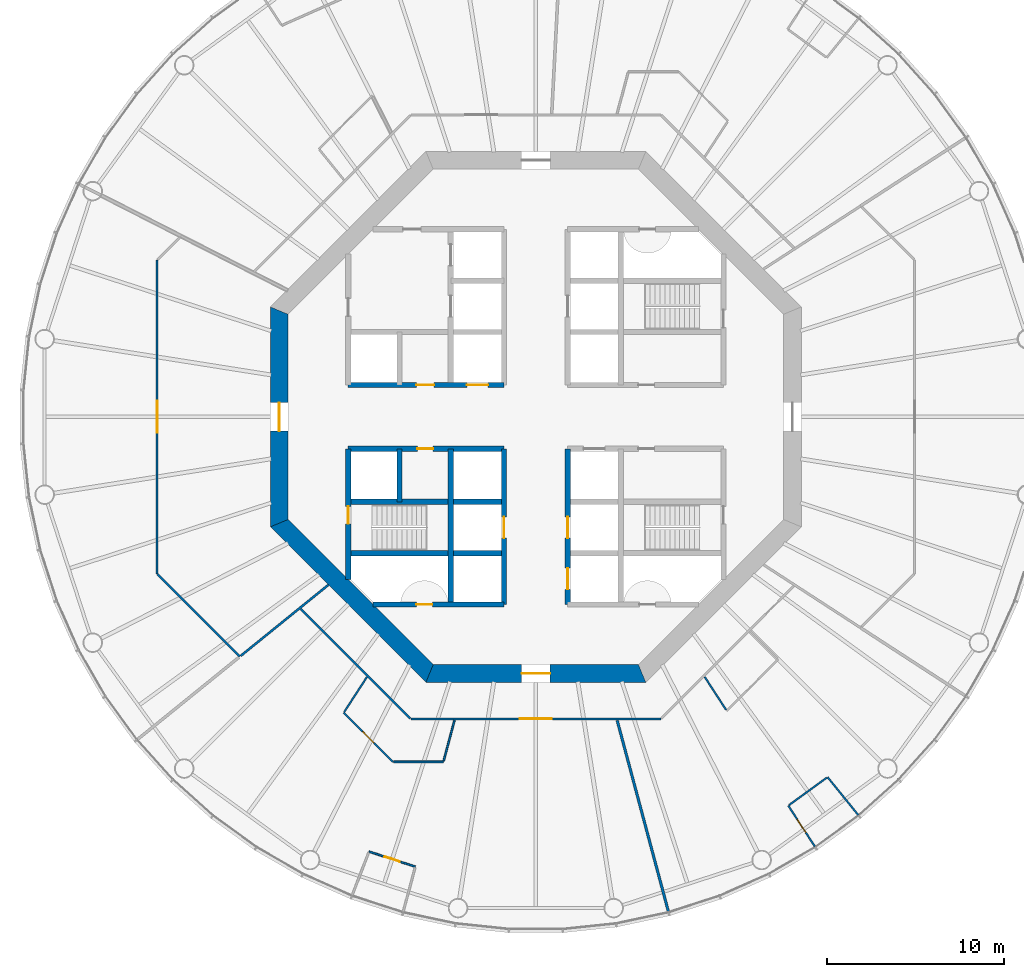
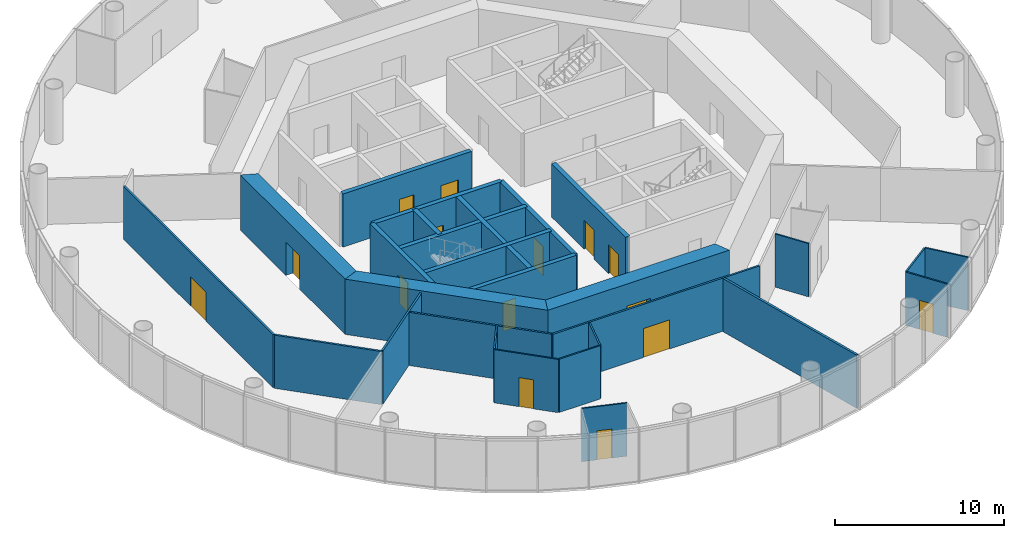
# One storey, part 3 of 13: 28 walls, 15 doors, 15 openings.
"""IFC4 building model written with IfcOpenShell, lengths in metres."""

from ifc_helpers import new_model, si_unit, direction, frame, frame_2d, origin, place, context, subcontext, project, spatial, polyline, rectangle, outline, extrude, material, layer, layer_set, type_object, element, fill, save


model = new_model("IFC4")

# Units and contexts
model_context = context("Model", 3, precision=1e-05, world=origin(), true_north=direction((0.0, 1.0)))
body_context = subcontext(model_context, "Body", "Model", "MODEL_VIEW")
ifc_project = project(units=[si_unit("LENGTHUNIT", "METRE"), si_unit("AREAUNIT", "SQUARE_METRE"), si_unit("VOLUMEUNIT", "CUBIC_METRE"), si_unit("PLANEANGLEUNIT", "RADIAN"), si_unit("MASSUNIT", "GRAM", prefix="KILO")], contexts=[model_context])

# Site, building, storey
site_placement = place(None, origin())
site = spatial("IfcSite", under=ifc_project, at=site_placement, CompositionType="ELEMENT")
building_placement = place(site_placement, origin())
building = spatial("IfcBuilding", under=site, at=building_placement, Name="Entoto Ring Tower", CompositionType="ELEMENT")
storey_placement = place(building_placement, frame((0.0, 0.0, 172.0)))
storey = spatial("IfcBuildingStorey", under=building, at=storey_placement, Name="L39", CompositionType="ELEMENT", Elevation=172.0)

# Wall, openings, doors
ifc_material_1 = material(Name="Concrete C40/50", Category="concrete")
ifc_layer_1 = layer(ifc_material_1, 0.300048828125)
ifc_layer_set_1 = layer_set([ifc_layer_1], Name="Concrete C40/50")
wall_type_1 = type_object("IfcWallType", Name="Core enclosure wall 300 mm reinforced concrete", PredefinedType="SOLIDWALL", material=ifc_layer_set_1)
wall_1_placement = place(storey_placement, frame((91.800048828125, 69.39990234375, 0.0), z_axis=(0.0, 0.0, 1.0), x_axis=(0.0, 1.0, 0.0)))
wall_1 = element("IfcWall", 1, at=wall_1_placement, inside=storey, type_object=wall_type_1, Name="wall-L39-005", PredefinedType="SOLIDWALL", context=body_context, shape_type="SweptSolid", body=[
    extrude(rectangle(XDim=8.800048828125, YDim=0.300048828125, at=frame_2d((4.39990234375, 0.0))), origin(), (0.0, 0.0, 1.0), 3.85009765625),
])
opening_1_placement = place(wall_1_placement, frame((3.75, 0.0, 0.0)))
opening_1 = element("IfcOpeningElement", 2, at=opening_1_placement, cuts=wall_1, Name="Opening LD", PredefinedType="OPENING", context=body_context, shape_type="SweptSolid", body=[
    extrude(rectangle(XDim=1.199951171875, YDim=2.10009765625, at=frame_2d((0.60009765625, 1.050048828125))), frame((0.0, 0.16015625, 0.0), z_axis=(0.0, -1.0, 0.0), x_axis=(1.0, 0.0, 0.0)), (0.0, 0.0, 1.0), 0.320068359375),
])
opening_2_placement = place(wall_1_placement, frame((0.85009765625, 0.0, 0.0)))
opening_2 = element("IfcOpeningElement", 3, at=opening_2_placement, cuts=wall_1, Name="Opening LD", PredefinedType="OPENING", context=body_context, shape_type="SweptSolid", body=[
    extrude(rectangle(XDim=1.199951171875, YDim=2.10009765625, at=frame_2d((0.60009765625, 1.050048828125))), frame((0.0, 0.16015625, 0.0), z_axis=(0.0, -1.0, 0.0), x_axis=(1.0, 0.0, 0.0)), (0.0, 0.0, 1.0), 0.320068359375),
])
ifc_material_2 = material(Name="Steel and glass door leaf", Category="steel")
ifc_layer_2 = layer(ifc_material_2, 0.050048828125)
ifc_layer_set_2 = layer_set([ifc_layer_2], Name="Steel and glass door leaf")
door_type_1 = type_object("IfcDoorType", Name="Landing door 1200 x 2100 sliding", OperationType="DOUBLE_DOOR_SLIDING", PredefinedType="DOOR", material=ifc_layer_set_2)
door_1_placement = place(opening_1_placement, origin())
door_1 = element("IfcDoor", 4, at=door_1_placement, inside=storey, type_object=door_type_1, Name="Landing door LB2-MR", OperationType="SLIDING_TO_RIGHT", OverallHeight=2.10009765625, OverallWidth=1.199951171875, PredefinedType="DOOR", context=body_context, shape_type="SweptSolid", body=[
    extrude(rectangle(XDim=1.199951171875, YDim=2.10009765625, at=frame_2d((0.60009765625, 1.050048828125))), frame((0.0, 0.02490234375, 0.0), z_axis=(0.0, -1.0, 0.0), x_axis=(1.0, 0.0, 0.0)), (0.0, 0.0, 1.0), 0.050048828125),
])
fill(opening_1, door_1)
door_2_placement = place(opening_2_placement, origin())
door_2 = element("IfcDoor", 5, at=door_2_placement, inside=storey, type_object=door_type_1, Name="Landing door LB3-MR", OperationType="SLIDING_TO_RIGHT", OverallHeight=2.10009765625, OverallWidth=1.199951171875, PredefinedType="DOOR", context=body_context, shape_type="SweptSolid", body=[
    extrude(rectangle(XDim=1.199951171875, YDim=2.10009765625, at=frame_2d((0.60009765625, 1.050048828125))), frame((0.0, 0.02490234375, 0.0), z_axis=(0.0, -1.0, 0.0), x_axis=(1.0, 0.0, 0.0)), (0.0, 0.0, 1.0), 0.050048828125),
])
fill(opening_2, door_2)

# Wall, opening, door
wall_2_placement = place(storey_placement, frame((88.199951171875, 69.39990234375, 0.0), z_axis=(0.0, 0.0, 1.0), x_axis=(0.0, 1.0, 0.0)))
wall_2 = element("IfcWall", 6, at=wall_2_placement, inside=storey, type_object=wall_type_1, Name="wall-L39-007", PredefinedType="SOLIDWALL", context=body_context, shape_type="SweptSolid", body=[
    extrude(rectangle(XDim=8.800048828125, YDim=0.300048828125, at=frame_2d((4.39990234375, 0.0))), origin(), (0.0, 0.0, 1.0), 3.85009765625),
])
opening_3_placement = place(wall_2_placement, frame((3.75, 0.0, 0.0)))
opening_3 = element("IfcOpeningElement", 7, at=opening_3_placement, cuts=wall_2, Name="Opening LD", PredefinedType="OPENING", context=body_context, shape_type="SweptSolid", body=[
    extrude(rectangle(XDim=1.199951171875, YDim=2.10009765625, at=frame_2d((0.60009765625, 1.050048828125))), frame((0.0, 0.16015625, 0.0), z_axis=(0.0, -1.0, 0.0), x_axis=(1.0, 0.0, 0.0)), (0.0, 0.0, 1.0), 0.320068359375),
])
door_3_placement = place(opening_3_placement, origin())
door_3 = element("IfcDoor", 8, at=door_3_placement, inside=storey, type_object=door_type_1, Name="Landing door LB4-MR", OperationType="SLIDING_TO_RIGHT", OverallHeight=2.10009765625, OverallWidth=1.199951171875, PredefinedType="DOOR", context=body_context, shape_type="SweptSolid", body=[
    extrude(rectangle(XDim=1.199951171875, YDim=2.10009765625, at=frame_2d((0.60009765625, 1.050048828125))), frame((0.0, 0.02490234375, 0.0), z_axis=(0.0, -1.0, 0.0), x_axis=(1.0, 0.0, 0.0)), (0.0, 0.0, 1.0), 0.050048828125),
])
fill(opening_3, door_3)

# Walls
wall_3_placement = place(storey_placement, frame((85.199951171875, 69.39990234375, 0.0), z_axis=(0.0, 0.0, 1.0), x_axis=(0.0, 1.0, 0.0)))
element("IfcWall", 9, at=wall_3_placement, inside=storey, type_object=wall_type_1, Name="wall-L39-009", PredefinedType="SOLIDWALL", context=body_context, shape_type="SweptSolid", body=[
    extrude(rectangle(XDim=8.800048828125, YDim=0.300048828125, at=frame_2d((4.39990234375, 0.0))), origin(), (0.0, 0.0, 1.0), 3.85009765625),
])
wall_4_placement = place(storey_placement, frame((82.300048828125, 75.199951171875, 0.0), z_axis=(0.0, 0.0, 1.0), x_axis=(0.0, 1.0, 0.0)))
element("IfcWall", 10, at=wall_4_placement, inside=storey, type_object=wall_type_1, Name="wall-L39-011", PredefinedType="SOLIDWALL", context=body_context, shape_type="SweptSolid", body=[
    extrude(rectangle(XDim=3.0, YDim=0.300048828125, at=frame_2d((1.5, 0.0))), origin(), (0.0, 0.0, 1.0), 3.85009765625),
])

# Wall, opening, door
wall_5_placement = place(storey_placement, frame((79.39990234375, 70.801025390625, 0.0), z_axis=(0.0, 0.0, 1.0), x_axis=(0.0, 1.0, 0.0)))
wall_5 = element("IfcWall", 11, at=wall_5_placement, inside=storey, type_object=wall_type_1, Name="wall-L39-013", PredefinedType="SOLIDWALL", context=body_context, shape_type="SweptSolid", body=[
    extrude(rectangle(XDim=7.39892578125, YDim=0.300048828125, at=frame_2d((3.699462890625, 0.0))), origin(), (0.0, 0.0, 1.0), 3.85009765625),
])
opening_4_placement = place(wall_5_placement, frame((3.14892578125, 0.0, 0.0)))
opening_4 = element("IfcOpeningElement", 12, at=opening_4_placement, cuts=wall_5, Name="Opening K-55", PredefinedType="OPENING", context=body_context, shape_type="SweptSolid", body=[
    extrude(rectangle(XDim=1.0, YDim=2.10009765625, at=frame_2d((0.5, 1.050048828125))), frame((0.0, 0.16015625, 0.0), z_axis=(0.0, -1.0, 0.0), x_axis=(1.0, 0.0, 0.0)), (0.0, 0.0, 1.0), 0.320068359375),
])
ifc_material_3 = material(Name="Steel door leaf, fire rated", Category="steel")
ifc_layer_3 = layer(ifc_material_3, 0.050048828125)
ifc_layer_set_3 = layer_set([ifc_layer_3], Name="Steel door leaf, fire rated")
door_type_2 = type_object("IfcDoorType", Name="Fire door FD60 1000 x 2100 single leaf", OperationType="NOTDEFINED", PredefinedType="DOOR", material=ifc_layer_set_3)
door_4_placement = place(opening_4_placement, frame((1.0, 0.0, 0.0), z_axis=(0.0, 0.0, 1.0), x_axis=(-1.0, 0.0, 0.0)))
door_4 = element("IfcDoor", 13, at=door_4_placement, inside=storey, type_object=door_type_2, Name="Door K-55", OperationType="SINGLE_SWING_LEFT", OverallHeight=2.10009765625, OverallWidth=1.0, PredefinedType="DOOR", context=body_context, shape_type="SweptSolid", body=[
    extrude(rectangle(XDim=1.0, YDim=2.10009765625, at=frame_2d((0.5, 1.050048828125))), frame((0.0, 0.02490234375, 0.0), z_axis=(0.0, -1.0, 0.0), x_axis=(1.0, 0.0, 0.0)), (0.0, 0.0, 1.0), 0.050048828125),
])
fill(opening_4, door_4)

wall_6_placement = place(storey_placement, frame((80.801025390625, 69.39990234375, 0.0), z_axis=(0.0, 0.0, 1.0), x_axis=(1.0, 0.0, 0.0)))
wall_6 = element("IfcWall", 14, at=wall_6_placement, inside=storey, type_object=wall_type_1, Name="wall-L39-015", PredefinedType="SOLIDWALL", context=body_context, shape_type="SweptSolid", body=[
    extrude(rectangle(XDim=7.39892578125, YDim=0.300048828125, at=frame_2d((3.699462890625, 0.0))), origin(), (0.0, 0.0, 1.0), 3.85009765625),
])
opening_5_placement = place(wall_6_placement, frame((2.448974609375, 0.0, 0.0)))
opening_5 = element("IfcOpeningElement", 15, at=opening_5_placement, cuts=wall_6, Name="Opening K-62", PredefinedType="OPENING", context=body_context, shape_type="SweptSolid", body=[
    extrude(rectangle(XDim=0.89990234375, YDim=2.10009765625, at=frame_2d((0.449951171875, 1.050048828125))), frame((0.0, 0.16015625, 0.0), z_axis=(0.0, -1.0, 0.0), x_axis=(1.0, 0.0, 0.0)), (0.0, 0.0, 1.0), 0.320068359375),
])
ifc_material_4 = material(Name="Steel door leaf, fire rated", Category="steel")
ifc_layer_4 = layer(ifc_material_4, 0.050048828125)
ifc_layer_set_4 = layer_set([ifc_layer_4], Name="Steel door leaf, fire rated")
door_type_3 = type_object("IfcDoorType", Name="Riser door FD60 900 x 2100 single leaf", OperationType="NOTDEFINED", PredefinedType="DOOR", material=ifc_layer_set_4)
door_5_placement = place(opening_5_placement, origin())
door_5 = element("IfcDoor", 16, at=door_5_placement, inside=storey, type_object=door_type_3, Name="Door K-62", OperationType="SINGLE_SWING_RIGHT", OverallHeight=2.10009765625, OverallWidth=0.89990234375, PredefinedType="DOOR", context=body_context, shape_type="SweptSolid", body=[
    extrude(rectangle(XDim=0.89990234375, YDim=2.10009765625, at=frame_2d((0.449951171875, 1.050048828125))), frame((0.0, 0.02490234375, 0.0), z_axis=(0.0, -1.0, 0.0), x_axis=(1.0, 0.0, 0.0)), (0.0, 0.0, 1.0), 0.050048828125),
])
fill(opening_5, door_5)

# Walls
for number, where, z_axis, x_axis, name in (
    (17, (79.39990234375, 72.300048828125, 0.0), (0.0, 0.0, 1.0), (1.0, 0.0, 0.0), "wall-L39-017"),
    (18, (79.39990234375, 75.199951171875, 0.0), (0.0, 0.0, 1.0), (1.0, 0.0, 0.0), "wall-L39-019"),
):
    element("IfcWall", number, at=place(storey_placement, frame(where, z_axis=z_axis, x_axis=x_axis)), inside=storey, type_object=wall_type_1, Name=name, PredefinedType="SOLIDWALL", context=body_context, shape_type="SweptSolid", body=[
        extrude(rectangle(XDim=8.800048828125, YDim=0.300048828125, at=frame_2d((4.39990234375, 0.0))), origin(), (0.0, 0.0, 1.0), 3.85009765625),
    ])

# Wall, opening, door
wall_7_placement = place(storey_placement, frame((79.39990234375, 78.199951171875, 0.0), z_axis=(0.0, 0.0, 1.0), x_axis=(1.0, 0.0, 0.0)))
wall_7 = element("IfcWall", 19, at=wall_7_placement, inside=storey, type_object=wall_type_1, Name="wall-L39-021", PredefinedType="SOLIDWALL", context=body_context, shape_type="SweptSolid", body=[
    extrude(rectangle(XDim=8.800048828125, YDim=0.300048828125, at=frame_2d((4.39990234375, 0.0))), origin(), (0.0, 0.0, 1.0), 3.85009765625),
])
opening_6_placement = place(wall_7_placement, frame((3.89990234375, 0.0, 0.0)))
opening_6 = element("IfcOpeningElement", 20, at=opening_6_placement, cuts=wall_7, Name="Opening K-14", PredefinedType="OPENING", context=body_context, shape_type="SweptSolid", body=[
    extrude(rectangle(XDim=0.89990234375, YDim=2.10009765625, at=frame_2d((0.449951171875, 1.050048828125))), frame((0.0, 0.16015625, 0.0), z_axis=(0.0, -1.0, 0.0), x_axis=(1.0, 0.0, 0.0)), (0.0, 0.0, 1.0), 0.320068359375),
])
ifc_material_5 = material(Name="Steel door leaf, fire rated", Category="steel")
ifc_layer_5 = layer(ifc_material_5, 0.050048828125)
ifc_layer_set_5 = layer_set([ifc_layer_5], Name="Steel door leaf, fire rated")
door_type_4 = type_object("IfcDoorType", Name="Core door 900 x 2100 single leaf", OperationType="NOTDEFINED", PredefinedType="DOOR", material=ifc_layer_set_5)
door_6_placement = place(opening_6_placement, frame((0.89990234375, 0.0, 0.0), z_axis=(0.0, 0.0, 1.0), x_axis=(-1.0, 0.0, 0.0)))
door_6 = element("IfcDoor", 21, at=door_6_placement, inside=storey, type_object=door_type_4, Name="Door K-14", OperationType="SINGLE_SWING_LEFT", OverallHeight=2.10009765625, OverallWidth=0.89990234375, PredefinedType="DOOR", context=body_context, shape_type="SweptSolid", body=[
    extrude(rectangle(XDim=0.89990234375, YDim=2.10009765625, at=frame_2d((0.449951171875, 1.050048828125))), frame((0.0, 0.02490234375, 0.0), z_axis=(0.0, -1.0, 0.0), x_axis=(1.0, 0.0, 0.0)), (0.0, 0.0, 1.0), 0.050048828125),
])
fill(opening_6, door_6)

# Wall, openings, doors
wall_8_placement = place(storey_placement, frame((79.39990234375, 81.800048828125, 0.0), z_axis=(0.0, 0.0, 1.0), x_axis=(1.0, 0.0, 0.0)))
wall_8 = element("IfcWall", 22, at=wall_8_placement, inside=storey, type_object=wall_type_1, Name="wall-L39-023", PredefinedType="SOLIDWALL", context=body_context, shape_type="SweptSolid", body=[
    extrude(rectangle(XDim=8.800048828125, YDim=0.300048828125, at=frame_2d((4.39990234375, 0.0))), origin(), (0.0, 0.0, 1.0), 3.85009765625),
])
opening_7_placement = place(wall_8_placement, frame((6.699951171875, 0.0, 0.0)))
opening_7 = element("IfcOpeningElement", 23, at=opening_7_placement, cuts=wall_8, Name="Opening LD", PredefinedType="OPENING", context=body_context, shape_type="SweptSolid", body=[
    extrude(rectangle(XDim=1.199951171875, YDim=2.10009765625, at=frame_2d((0.60009765625, 1.050048828125))), frame((0.0, 0.16015625, 0.0), z_axis=(0.0, -1.0, 0.0), x_axis=(1.0, 0.0, 0.0)), (0.0, 0.0, 1.0), 0.320068359375),
])
opening_8_placement = place(wall_8_placement, frame((3.85009765625, 0.0, 0.0)))
opening_8 = element("IfcOpeningElement", 24, at=opening_8_placement, cuts=wall_8, Name="Opening K-13", PredefinedType="OPENING", context=body_context, shape_type="SweptSolid", body=[
    extrude(rectangle(XDim=1.0, YDim=2.10009765625, at=frame_2d((0.5, 1.050048828125))), frame((0.0, 0.16015625, 0.0), z_axis=(0.0, -1.0, 0.0), x_axis=(1.0, 0.0, 0.0)), (0.0, 0.0, 1.0), 0.320068359375),
])
ifc_material_6 = material(Name="Steel door leaf, fire rated", Category="steel")
ifc_layer_6 = layer(ifc_material_6, 0.050048828125)
ifc_layer_set_6 = layer_set([ifc_layer_6], Name="Steel door leaf, fire rated")
door_type_5 = type_object("IfcDoorType", Name="Accessible door 1000 x 2100 single leaf", OperationType="NOTDEFINED", PredefinedType="DOOR", material=ifc_layer_set_6)
door_7_placement = place(opening_8_placement, origin())
door_7 = element("IfcDoor", 25, at=door_7_placement, inside=storey, type_object=door_type_5, Name="Door K-13", OperationType="SINGLE_SWING_LEFT", OverallHeight=2.10009765625, OverallWidth=1.0, PredefinedType="DOOR", context=body_context, shape_type="SweptSolid", body=[
    extrude(rectangle(XDim=1.0, YDim=2.10009765625, at=frame_2d((0.5, 1.050048828125))), frame((0.0, 0.02490234375, 0.0), z_axis=(0.0, -1.0, 0.0), x_axis=(1.0, 0.0, 0.0)), (0.0, 0.0, 1.0), 0.050048828125),
])
fill(opening_8, door_7)
door_8_placement = place(opening_7_placement, origin())
door_8 = element("IfcDoor", 26, at=door_8_placement, inside=storey, type_object=door_type_1, Name="Landing door LB5-MR", OperationType="SLIDING_TO_LEFT", OverallHeight=2.10009765625, OverallWidth=1.199951171875, PredefinedType="DOOR", context=body_context, shape_type="SweptSolid", body=[
    extrude(rectangle(XDim=1.199951171875, YDim=2.10009765625, at=frame_2d((0.60009765625, 1.050048828125))), frame((0.0, 0.02490234375, 0.0), z_axis=(0.0, -1.0, 0.0), x_axis=(1.0, 0.0, 0.0)), (0.0, 0.0, 1.0), 0.050048828125),
])
fill(opening_7, door_8)

# Wall, opening, door
ifc_material_7 = material(Name="Concrete C50/60", Category="concrete")
ifc_layer_7 = layer(ifc_material_7, 1.0)
ifc_layer_set_7 = layer_set([ifc_layer_7], Name="Concrete C50/60")
wall_type_2 = type_object("IfcWallType", Name="Core shear wall 1000 mm reinforced concrete C50/60", PredefinedType="SHEAR", material=ifc_layer_set_7)
wall_9_placement = place(storey_placement, frame((75.5, 86.006103515625, 0.0), z_axis=(0.0, 0.0, 1.0), x_axis=(0.0, -1.0, 0.0)))
wall_9 = element("IfcWall", 27, at=wall_9_placement, inside=storey, type_object=wall_type_2, Name="wall-L39-core-4", PredefinedType="SHEAR", context=body_context, shape_type="SweptSolid", body=[
    extrude(outline(polyline([(-0.20703125, -0.5), (12.21923828125, -0.5), (11.80517578125, 0.5), (0.20703125, 0.5), (-0.20703125, -0.5)])), origin(), (0.0, 0.0, 1.0), 4.0),
])
opening_9_placement = place(wall_9_placement, frame((5.2060546875, 0.0, 0.0)))
opening_9 = element("IfcOpeningElement", 28, at=opening_9_placement, cuts=wall_9, Name="Opening K-03", PredefinedType="OPENING", context=body_context, shape_type="SweptSolid", body=[
    extrude(rectangle(XDim=1.60009765625, YDim=2.39990234375, at=frame_2d((0.800048828125, 1.199951171875))), frame((0.0, 0.510009765625, 0.0), z_axis=(0.0, -1.0, 0.0), x_axis=(1.0, 0.0, 0.0)), (0.0, 0.0, 1.0), 1.02001953125),
])
ifc_material_8 = material(Name="Steel door leaf, fire rated", Category="steel")
ifc_layer_8 = layer(ifc_material_8, 0.050048828125)
ifc_layer_set_8 = layer_set([ifc_layer_8], Name="Steel door leaf, fire rated")
door_type_6 = type_object("IfcDoorType", Name="Entrance door FD60 1600 x 2400 double leaf", OperationType="DOUBLE_DOOR_SINGLE_SWING", PredefinedType="DOOR", material=ifc_layer_set_8)
door_9_placement = place(opening_9_placement, origin())
door_9 = element("IfcDoor", 29, at=door_9_placement, inside=storey, type_object=door_type_6, Name="Entrance door K-03", OperationType="DOUBLE_DOOR_SINGLE_SWING", OverallHeight=2.39990234375, OverallWidth=1.60009765625, PredefinedType="DOOR", context=body_context, shape_type="SweptSolid", body=[
    extrude(rectangle(XDim=1.60009765625, YDim=2.39990234375, at=frame_2d((0.800048828125, 1.199951171875))), frame((0.0, 0.02490234375, 0.0), z_axis=(0.0, -1.0, 0.0), x_axis=(1.0, 0.0, 0.0)), (0.0, 0.0, 1.0), 0.050048828125),
])
fill(opening_9, door_9)

# Wall
wall_10_placement = place(storey_placement, frame((75.5, 73.993896484375, 0.0), z_axis=(0.0, 0.0, 1.0), x_axis=(0.707106781187, -0.707106781187, 0.0)))
element("IfcWall", 30, at=wall_10_placement, inside=storey, type_object=wall_type_2, Name="wall-L39-core-5", PredefinedType="SHEAR", context=body_context, shape_type="SweptSolid", body=[
    extrude(outline(polyline([(-0.20703125, -0.5), (12.21923828125, -0.5), (11.80517578125, 0.5), (0.20703125, 0.5), (-0.20703125, -0.5)])), origin(), (0.0, 0.0, 1.0), 4.0),
])

# Wall, opening, door
wall_11_placement = place(storey_placement, frame((83.993896484375, 65.5, 0.0), z_axis=(0.0, 0.0, 1.0), x_axis=(1.0, 0.0, 0.0)))
wall_11 = element("IfcWall", 31, at=wall_11_placement, inside=storey, type_object=wall_type_2, Name="wall-L39-core-6", PredefinedType="SHEAR", context=body_context, shape_type="SweptSolid", body=[
    extrude(outline(polyline([(-0.20703125, -0.5), (12.21923828125, -0.5), (11.80517578125, 0.5), (0.20703125, 0.5), (-0.20703125, -0.5)])), origin(), (0.0, 0.0, 1.0), 4.0),
])
opening_10_placement = place(wall_11_placement, frame((5.2060546875, 0.0, 0.0)))
opening_10 = element("IfcOpeningElement", 32, at=opening_10_placement, cuts=wall_11, Name="Opening K-04", PredefinedType="OPENING", context=body_context, shape_type="SweptSolid", body=[
    extrude(rectangle(XDim=1.60009765625, YDim=2.39990234375, at=frame_2d((0.800048828125, 1.199951171875))), frame((0.0, 0.510009765625, 0.0), z_axis=(0.0, -1.0, 0.0), x_axis=(1.0, 0.0, 0.0)), (0.0, 0.0, 1.0), 1.02001953125),
])
door_10_placement = place(opening_10_placement, origin())
door_10 = element("IfcDoor", 33, at=door_10_placement, inside=storey, type_object=door_type_6, Name="Entrance door K-04", OperationType="DOUBLE_DOOR_SINGLE_SWING", OverallHeight=2.39990234375, OverallWidth=1.60009765625, PredefinedType="DOOR", context=body_context, shape_type="SweptSolid", body=[
    extrude(rectangle(XDim=1.60009765625, YDim=2.39990234375, at=frame_2d((0.800048828125, 1.199951171875))), frame((0.0, 0.02490234375, 0.0), z_axis=(0.0, -1.0, 0.0), x_axis=(1.0, 0.0, 0.0)), (0.0, 0.0, 1.0), 0.050048828125),
])
fill(opening_10, door_10)

ifc_material_9 = material(Name="Fire-resisting plasterboard on steel studs", Category="steel")
ifc_layer_9 = layer(ifc_material_9, 0.125)
ifc_layer_set_9 = layer_set([ifc_layer_9], Name="Fire-resisting plasterboard on steel studs")
wall_type_3 = type_object("IfcWallType", Name="Corridor wall 125 mm one-hour plasterboard on steel studs", PredefinedType="PARTITIONING", material=ifc_layer_set_9)
wall_12_placement = place(storey_placement, frame((68.60009765625, 71.1357421875, 0.0), z_axis=(0.0, 0.0, 1.0), x_axis=(0.0, 1.0, 0.0)))
wall_12 = element("IfcWall", 34, at=wall_12_placement, inside=storey, type_object=wall_type_3, Name="partition-L39-001", PredefinedType="PARTITIONING", context=body_context, shape_type="SweptSolid", body=[
    extrude(rectangle(XDim=17.728515625, YDim=0.125, at=frame_2d((8.8642578125, 0.0))), origin(), (0.0, 0.0, 1.0), 3.85009765625),
])
opening_11_placement = place(wall_12_placement, frame((7.964111328125, 0.0, 0.0)))
opening_11 = element("IfcOpeningElement", 35, at=opening_11_placement, cuts=wall_12, Name="Opening A17-D02", PredefinedType="OPENING", context=body_context, shape_type="SweptSolid", body=[
    extrude(rectangle(XDim=1.800048828125, YDim=2.10009765625, at=frame_2d((0.89990234375, 1.050048828125))), frame((0.0, 0.072509765625, 0.0), z_axis=(0.0, -1.0, 0.0), x_axis=(1.0, 0.0, 0.0)), (0.0, 0.0, 1.0), 0.14501953125),
])
ifc_material_10 = material(Name="Fire-resisting timber door set", Category="wood")
door_type_7 = type_object("IfcDoorType", Name="Door 1800 x 2100 double leaf FD30S fire door", OperationType="DOUBLE_DOOR_SINGLE_SWING", PredefinedType="DOOR", material=ifc_material_10)
door_11_placement = place(opening_11_placement, origin())
door_11 = element("IfcDoor", 36, at=door_11_placement, inside=storey, type_object=door_type_7, Name="Door A17-D02", OperationType="DOUBLE_DOOR_SINGLE_SWING", OverallHeight=2.10009765625, OverallWidth=1.800048828125, PredefinedType="DOOR", context=body_context, shape_type="SweptSolid", body=[
    extrude(rectangle(XDim=1.800048828125, YDim=2.10009765625, at=frame_2d((0.89990234375, 1.050048828125))), frame((0.0, 0.02490234375, 0.0), z_axis=(0.0, -1.0, 0.0), x_axis=(1.0, 0.0, 0.0)), (0.0, 0.0, 1.0), 0.050048828125),
])
fill(opening_11, door_11)

wall_13_placement = place(storey_placement, frame((82.9326171875, 62.9375, 0.0), z_axis=(0.0, 0.0, 1.0), x_axis=(1.0, 0.0, 0.0)))
wall_13 = element("IfcWall", 37, at=wall_13_placement, inside=storey, type_object=wall_type_3, Name="partition-L39-003", PredefinedType="PARTITIONING", context=body_context, shape_type="SweptSolid", body=[
    extrude(rectangle(XDim=14.134765625, YDim=0.125, at=frame_2d((7.0673828125, 0.0))), origin(), (0.0, 0.0, 1.0), 3.85009765625),
])
opening_12_placement = place(wall_13_placement, frame((6.16748046875, 0.0, 0.0)))
opening_12 = element("IfcOpeningElement", 38, at=opening_12_placement, cuts=wall_13, Name="Opening A17-D09", PredefinedType="OPENING", context=body_context, shape_type="SweptSolid", body=[
    extrude(rectangle(XDim=1.800048828125, YDim=2.10009765625, at=frame_2d((0.89990234375, 1.050048828125))), frame((0.0, 0.072509765625, 0.0), z_axis=(0.0, -1.0, 0.0), x_axis=(1.0, 0.0, 0.0)), (0.0, 0.0, 1.0), 0.14501953125),
])
door_12_placement = place(opening_12_placement, frame((1.800048828125, 0.0, 0.0), z_axis=(0.0, 0.0, 1.0), x_axis=(-1.0, 0.0, 0.0)))
door_12 = element("IfcDoor", 39, at=door_12_placement, inside=storey, type_object=door_type_7, Name="Door A17-D09", OperationType="DOUBLE_DOOR_SINGLE_SWING", OverallHeight=2.10009765625, OverallWidth=1.800048828125, PredefinedType="DOOR", context=body_context, shape_type="SweptSolid", body=[
    extrude(rectangle(XDim=1.800048828125, YDim=2.10009765625, at=frame_2d((0.89990234375, 1.050048828125))), frame((0.0, 0.02490234375, 0.0), z_axis=(0.0, -1.0, 0.0), x_axis=(1.0, 0.0, 0.0)), (0.0, 0.0, 1.0), 0.050048828125),
])
fill(opening_12, door_12)

# Walls
wall_14_placement = place(storey_placement, frame((82.9013671875, 62.968505859375, 0.0), z_axis=(0.0, 0.0, 1.0), x_axis=(-0.707092826187, 0.70712073591, 0.0)))
element("IfcWall", 40, at=wall_14_placement, inside=storey, type_object=wall_type_3, Name="partition-L39-008", PredefinedType="PARTITIONING", context=body_context, shape_type="SweptSolid", body=[
    extrude(rectangle(XDim=8.74755859375, YDim=0.125, at=frame_2d((4.373779296875, 0.0))), origin(), (0.0, 0.0, 1.0), 3.85009765625),
])
wall_15_placement = place(storey_placement, frame((73.277587890625, 66.45849609375, 0.0), z_axis=(0.0, 0.0, 1.0), x_axis=(-0.707125358217, 0.707088203668, 0.0)))
element("IfcWall", 41, at=wall_15_placement, inside=storey, type_object=wall_type_3, Name="partition-L39-010", PredefinedType="PARTITIONING", context=body_context, shape_type="SweptSolid", body=[
    extrude(rectangle(XDim=6.571044921875, YDim=0.125, at=frame_2d((3.28564453125, 0.0))), origin(), (0.0, 0.0, 1.0), 3.85009765625),
])
wall_16_placement = place(storey_placement, frame((73.32568359375, 66.49755859375, 0.0), z_axis=(0.0, 0.0, 1.0), x_axis=(0.777147622925, 0.629318339302, 0.0)))
element("IfcWall", 42, at=wall_16_placement, inside=storey, type_object=wall_type_3, Name="partition-L39-013", PredefinedType="PARTITIONING", context=body_context, shape_type="SweptSolid", body=[
    extrude(rectangle(XDim=6.373046875, YDim=0.125, at=frame_2d((3.1865234375, 0.0))), origin(), (0.0, 0.0, 1.0), 3.85009765625),
])

# Wall, opening, door
ifc_material_11 = material(Name="Plasterboard on steel studs", Category="steel")
ifc_layer_10 = layer(ifc_material_11, 0.10009765625)
ifc_layer_set_10 = layer_set([ifc_layer_10], Name="Plasterboard on steel studs")
wall_type_4 = type_object("IfcWallType", Name="Partition 100 mm plasterboard on steel studs", PredefinedType="PARTITIONING", material=ifc_layer_set_10)
wall_17_placement = place(storey_placement, frame((81.92578125, 60.507568359375, 0.0), z_axis=(0.0, 0.0, 1.0), x_axis=(-0.707075724824, 0.707137836185, 0.0)))
wall_17 = element("IfcWall", 43, at=wall_17_placement, inside=storey, type_object=wall_type_4, Name="partition-L39-027", PredefinedType="PARTITIONING", context=body_context, shape_type="SweptSolid", body=[
    extrude(rectangle(XDim=3.9306640625, YDim=0.10009765625, at=frame_2d((1.96533203125, 0.0))), origin(), (0.0, 0.0, 1.0), 3.85009765625),
])
opening_13_placement = place(wall_17_placement, frame((1.515380859375, 0.0, 0.0)))
opening_13 = element("IfcOpeningElement", 44, at=opening_13_placement, cuts=wall_17, Name="Opening A17-D10", PredefinedType="OPENING", context=body_context, shape_type="SweptSolid", body=[
    extrude(rectangle(XDim=0.89990234375, YDim=2.10009765625, at=frame_2d((0.449951171875, 1.050048828125))), frame((0.0, 0.06005859375, 0.0), z_axis=(0.0, -1.0, 0.0), x_axis=(1.0, 0.0, 0.0)), (0.0, 0.0, 1.0), 0.1201171875),
])
ifc_material_12 = material(Name="Veneered timber door leaf in timber frame", Category="wood")
door_type_8 = type_object("IfcDoorType", Name="Door 900 x 2100 single leaf timber veneer", OperationType="NOTDEFINED", PredefinedType="DOOR", material=ifc_material_12)
door_13_placement = place(opening_13_placement, frame((0.89990234375, 0.0, 0.0), z_axis=(0.0, 0.0, 1.0), x_axis=(-1.0, 0.0, 0.0)))
door_13 = element("IfcDoor", 45, at=door_13_placement, inside=storey, type_object=door_type_8, Name="Door A17-D10", OperationType="SINGLE_SWING_LEFT", OverallHeight=2.10009765625, OverallWidth=0.89990234375, PredefinedType="DOOR", context=body_context, shape_type="SweptSolid", body=[
    extrude(rectangle(XDim=0.89990234375, YDim=2.10009765625, at=frame_2d((0.449951171875, 1.050048828125))), frame((0.0, 0.02490234375, 0.0), z_axis=(0.0, -1.0, 0.0), x_axis=(1.0, 0.0, 0.0)), (0.0, 0.0, 1.0), 0.050048828125),
])
fill(opening_13, door_13)

# Wall
wall_18_placement = place(storey_placement, frame((81.961181640625, 60.507568359375, 0.0), z_axis=(0.0, 0.0, 1.0), x_axis=(1.0, 0.0, 0.0)))
element("IfcWall", 46, at=wall_18_placement, inside=storey, type_object=wall_type_4, Name="partition-L39-029", PredefinedType="PARTITIONING", context=body_context, shape_type="SweptSolid", body=[
    extrude(rectangle(XDim=2.81591796875, YDim=0.10009765625, at=frame_2d((1.407958984375, 0.0))), origin(), (0.0, 0.0, 1.0), 3.85009765625),
])

# Wall, opening, door
wall_19_placement = place(storey_placement, frame((83.1904296875, 54.58642578125, 0.0), z_axis=(0.0, 0.0, 1.0), x_axis=(-0.951049702994, 0.309037962774, 0.0)))
wall_19 = element("IfcWall", 47, at=wall_19_placement, inside=storey, type_object=wall_type_4, Name="partition-L39-032", PredefinedType="PARTITIONING", context=body_context, shape_type="SweptSolid", body=[
    extrude(rectangle(XDim=2.75390625, YDim=0.10009765625, at=frame_2d((1.376953125, 0.0))), origin(), (0.0, 0.0, 1.0), 3.85009765625),
])
opening_14_placement = place(wall_19_placement, frame((0.927001953125, 0.0, 0.0)))
opening_14 = element("IfcOpeningElement", 48, at=opening_14_placement, cuts=wall_19, Name="Opening A17-D11", PredefinedType="OPENING", context=body_context, shape_type="SweptSolid", body=[
    extrude(rectangle(XDim=0.89990234375, YDim=2.10009765625, at=frame_2d((0.449951171875, 1.050048828125))), frame((0.0, 0.06005859375, 0.0), z_axis=(0.0, -1.0, 0.0), x_axis=(1.0, 0.0, 0.0)), (0.0, 0.0, 1.0), 0.1201171875),
])
door_14_placement = place(opening_14_placement, origin())
door_14 = element("IfcDoor", 49, at=door_14_placement, inside=storey, type_object=door_type_8, Name="Door A17-D11", OperationType="SINGLE_SWING_RIGHT", OverallHeight=2.10009765625, OverallWidth=0.89990234375, PredefinedType="DOOR", context=body_context, shape_type="SweptSolid", body=[
    extrude(rectangle(XDim=0.89990234375, YDim=2.10009765625, at=frame_2d((0.449951171875, 1.050048828125))), frame((0.0, 0.02490234375, 0.0), z_axis=(0.0, -1.0, 0.0), x_axis=(1.0, 0.0, 0.0)), (0.0, 0.0, 1.0), 0.050048828125),
])
fill(opening_14, door_14)

wall_20_placement = place(storey_placement, frame((105.761962890625, 55.72900390625, 0.0), z_axis=(0.0, 0.0, 1.0), x_axis=(-0.544682489576, 0.838642346623, 0.0)))
wall_20 = element("IfcWall", 50, at=wall_20_placement, inside=storey, type_object=wall_type_4, Name="partition-L39-033", PredefinedType="PARTITIONING", context=body_context, shape_type="SweptSolid", body=[
    extrude(rectangle(XDim=2.749755859375, YDim=0.10009765625, at=frame_2d((1.375, 0.0))), origin(), (0.0, 0.0, 1.0), 3.85009765625),
])
opening_15_placement = place(wall_20_placement, frame((0.925048828125, 0.0, 0.0)))
opening_15 = element("IfcOpeningElement", 51, at=opening_15_placement, cuts=wall_20, Name="Opening A17-D14", PredefinedType="OPENING", context=body_context, shape_type="SweptSolid", body=[
    extrude(rectangle(XDim=0.89990234375, YDim=2.10009765625, at=frame_2d((0.449951171875, 1.050048828125))), frame((0.0, 0.06005859375, 0.0), z_axis=(0.0, -1.0, 0.0), x_axis=(1.0, 0.0, 0.0)), (0.0, 0.0, 1.0), 0.1201171875),
])
door_15_placement = place(opening_15_placement, frame((0.89990234375, 0.0, 0.0), z_axis=(0.0, 0.0, 1.0), x_axis=(-1.0, 0.0, 0.0)))
door_15 = element("IfcDoor", 52, at=door_15_placement, inside=storey, type_object=door_type_8, Name="Door A17-D14", OperationType="SINGLE_SWING_RIGHT", OverallHeight=2.10009765625, OverallWidth=0.89990234375, PredefinedType="DOOR", context=body_context, shape_type="SweptSolid", body=[
    extrude(rectangle(XDim=0.89990234375, YDim=2.10009765625, at=frame_2d((0.449951171875, 1.050048828125))), frame((0.0, 0.02490234375, 0.0), z_axis=(0.0, -1.0, 0.0), x_axis=(1.0, 0.0, 0.0)), (0.0, 0.0, 1.0), 0.050048828125),
])
fill(opening_15, door_15)

# Walls
wall_21_placement = place(storey_placement, frame((108.21240234375, 57.509521484375, 0.0), z_axis=(0.0, 0.0, 1.0), x_axis=(-0.629318265291, 0.777147682858, 0.0)))
element("IfcWall", 53, at=wall_21_placement, inside=storey, type_object=wall_type_4, Name="partition-L39-034", PredefinedType="PARTITIONING", context=body_context, shape_type="SweptSolid", body=[
    extrude(rectangle(XDim=2.749755859375, YDim=0.10009765625, at=frame_2d((1.375, 0.0))), origin(), (0.0, 0.0, 1.0), 3.85009765625),
])
wall_22_placement = place(storey_placement, frame((104.304443359375, 58.064697265625, 0.0), z_axis=(0.0, 0.0, 1.0), x_axis=(0.809035750741, 0.587759435503, 0.0)))
element("IfcWall", 54, at=wall_22_placement, inside=storey, type_object=wall_type_4, Name="partition-L39-035", PredefinedType="PARTITIONING", context=body_context, shape_type="SweptSolid", body=[
    extrude(rectangle(XDim=2.641357421875, YDim=0.10009765625, at=frame_2d((1.32080078125, 0.0))), origin(), (0.0, 0.0, 1.0), 3.85009765625),
])
wall_23_placement = place(storey_placement, frame((84.78955078125, 60.553955078125, 0.0), z_axis=(0.0, 0.0, 1.0), x_axis=(0.258775235292, 0.965937564028, 0.0)))
element("IfcWall", 55, at=wall_23_placement, inside=storey, type_object=wall_type_4, Name="partition-L39-042", PredefinedType="PARTITIONING", context=body_context, shape_type="SweptSolid", body=[
    extrude(rectangle(XDim=2.3896484375, YDim=0.10009765625, at=frame_2d((1.19482421875, 0.0))), origin(), (0.0, 0.0, 1.0), 3.85009765625),
])
wall_24_placement = place(storey_placement, frame((79.173095703125, 63.327880859375, 0.0), z_axis=(0.0, 0.0, 1.0), x_axis=(0.544613944072, 0.838686861661, 0.0)))
element("IfcWall", 56, at=wall_24_placement, inside=storey, type_object=wall_type_4, Name="partition-L39-044", PredefinedType="PARTITIONING", context=body_context, shape_type="SweptSolid", body=[
    extrude(rectangle(XDim=2.361083984375, YDim=0.10009765625, at=frame_2d((1.1806640625, 0.0))), origin(), (0.0, 0.0, 1.0), 3.85009765625),
])
wall_25_placement = place(storey_placement, frame((100.753173828125, 63.441650390625, 0.0), z_axis=(0.0, 0.0, 1.0), x_axis=(-0.544660558482, 0.83865659005, 0.0)))
element("IfcWall", 57, at=wall_25_placement, inside=storey, type_object=wall_type_4, Name="partition-L39-046", PredefinedType="PARTITIONING", context=body_context, shape_type="SweptSolid", body=[
    extrude(rectangle(XDim=2.2255859375, YDim=0.10009765625, at=frame_2d((1.11279296875, 0.0))), origin(), (0.0, 0.0, 1.0), 3.85009765625),
])
ifc_material_13 = material(Name="Fire-resisting acoustic plasterboard on steel studs", Category="steel")
ifc_layer_11 = layer(ifc_material_13, 0.14990234375)
ifc_layer_set_11 = layer_set([ifc_layer_11], Name="Fire-resisting acoustic plasterboard on steel studs")
wall_type_5 = type_object("IfcWallType", Name="Party wall 150 mm one-hour acoustic plasterboard on steel studs", PredefinedType="PARTITIONING", material=ifc_layer_set_11)
wall_26_placement = place(storey_placement, frame((97.490234375, 52.046142578125, 0.0), z_axis=(0.0, 0.0, 1.0), x_axis=(-0.258824776052, 0.965924290668, 0.0)))
element("IfcWall", 58, at=wall_26_placement, inside=storey, type_object=wall_type_5, Name="partition-L39-018", PredefinedType="PARTITIONING", context=body_context, shape_type="SweptSolid", body=[
    extrude(rectangle(XDim=11.19091796875, YDim=0.14990234375, at=frame_2d((5.595458984375, 0.0))), origin(), (0.0, 0.0, 1.0), 3.85009765625),
])

save(model, "model.ifc")
